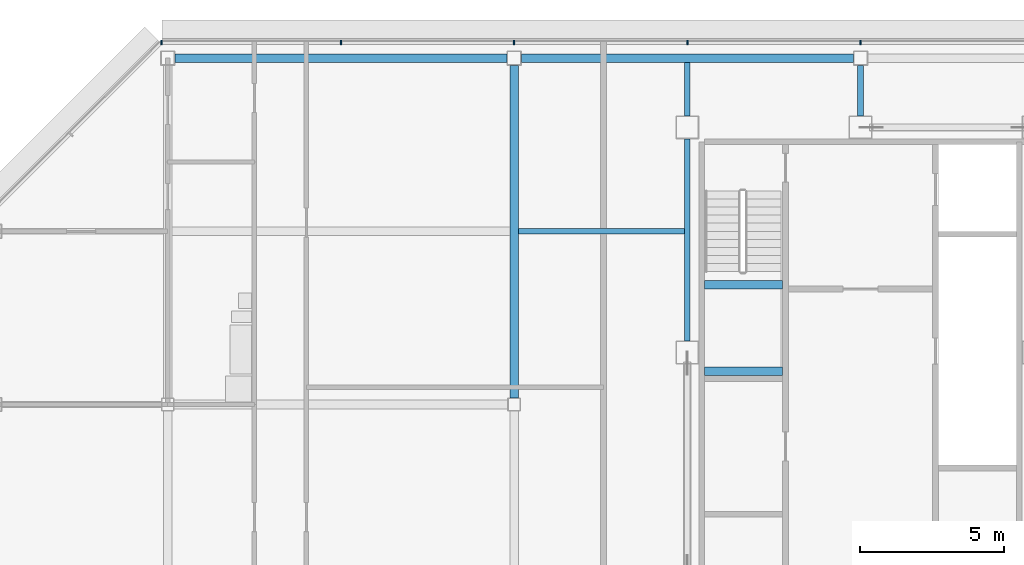
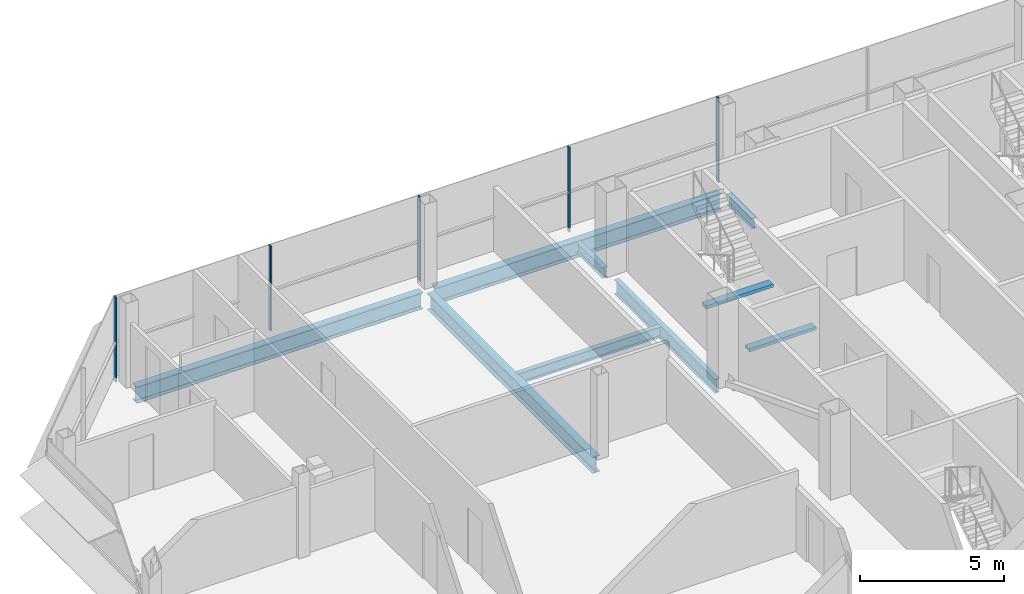
# One storey, part 14 of 28: 9 beams, 5 members, 1 element without a shape of its own.
"""IFC4 building model written with IfcOpenShell, lengths in metres."""

import ifcopenshell
import ifcopenshell.guid

model = None  # the IFC model being written
_history = None  # IfcOwnerHistory: only IFC2X3 demands one
_inside = {}  # id of a spatial element -> (the spatial element, [elements in it])
_under = {}  # id of a project, library or spatial element -> (it, [spatial elements below it])
_declared = {}  # id of a project -> (the project, [libraries it declares])
_typed = {}  # id of a type object -> (the type object, [elements of that type])
_made_of = {}  # id of a material, layer set ... -> (it, [elements and type objects made of it])


def new_model(schema):
    """Start an empty IFC model of exactly this schema.

    Asked for "IFC4X3", IfcOpenShell would pick the latest addendum, in which some entities
    have other attributes; the version numbers below select the first issue.
    IFC2X3 requires an IfcOwnerHistory on every rooted entity: one is made here for all.
    """
    global model, _history
    if schema == "IFC4X3":
        model = ifcopenshell.file(schema_version=(4, 3, 0, 0))
    else:
        model = ifcopenshell.file(schema=schema)
    _inside.clear()
    _under.clear()
    _declared.clear()
    _typed.clear()
    _made_of.clear()
    _history = None
    if model.schema == "IFC2X3":
        org = make("IfcOrganization", Name="unknown")
        user = make(
            "IfcPersonAndOrganization",
            ThePerson=make("IfcPerson", FamilyName="unknown"),
            TheOrganization=org,
        )
        app = make(
            "IfcApplication",
            ApplicationDeveloper=org,
            Version="unknown",
            ApplicationFullName="unknown",
            ApplicationIdentifier="unknown",
        )
        _history = make(
            "IfcOwnerHistory",
            OwningUser=user,
            OwningApplication=app,
            ChangeAction="ADDED",
            CreationDate=0,
        )
    return model


def make(cls, **values):
    """One entity of the class cls with the attributes given. An attribute that is None is left unset."""
    return model.create_entity(
        cls, **{name: value for name, value in values.items() if value is not None}
    )


def rooted(cls, **values):
    """An entity with a GlobalId (a new one), such as an element, a storey or a relation."""
    return make(cls, GlobalId=ifcopenshell.guid.new(), OwnerHistory=_history, **values)


def si_unit(unit_type, name, prefix=None):
    """IfcSIUnit, for example si_unit("LENGTHUNIT", "METRE", prefix="MILLI")."""
    return make("IfcSIUnit", UnitType=unit_type, Prefix=prefix, Name=name)


def assignment(units):
    """IfcUnitAssignment: the units of a project."""
    return None if units is None else make("IfcUnitAssignment", Units=units)


def point(xyz):
    """IfcCartesianPoint."""
    return None if xyz is None else make("IfcCartesianPoint", Coordinates=xyz)


def direction(xyz):
    """IfcDirection."""
    return None if xyz is None else make("IfcDirection", DirectionRatios=xyz)


def frame(location, z_axis=None, x_axis=None):
    """IfcAxis2Placement3D, a coordinate frame: its origin and axes. An axis left out is left unset."""
    return make(
        "IfcAxis2Placement3D",
        Location=point(location),
        Axis=direction(z_axis),
        RefDirection=direction(x_axis),
    )


def frame_2d(location, x_axis=None):
    """IfcAxis2Placement2D, a coordinate frame in the plane: its origin and x axis."""
    return make(
        "IfcAxis2Placement2D", Location=point(location), RefDirection=direction(x_axis)
    )


def origin():
    """The frame at (0, 0, 0) with its axes left unset."""
    return frame((0.0, 0.0, 0.0))


def origin_2d():
    """The frame at (0, 0) in the plane with its x axis left unset."""
    return frame_2d((0.0, 0.0))


def place(relative_to, where):
    """IfcLocalPlacement: puts the frame where relative to a parent placement (None: the world)."""
    return make(
        "IfcLocalPlacement", PlacementRelTo=relative_to, RelativePlacement=where
    )


def context(
    kind, dimensions, precision=None, world=None, true_north=None, identifier=None
):
    """IfcGeometricRepresentationContext, for example the 3D "Model" context."""
    return make(
        "IfcGeometricRepresentationContext",
        ContextIdentifier=identifier,
        ContextType=kind,
        CoordinateSpaceDimension=dimensions,
        Precision=precision,
        WorldCoordinateSystem=world,
        TrueNorth=true_north,
    )


def subcontext(parent, identifier, kind, view, scale=None):
    """IfcGeometricRepresentationSubContext, for example "Body" below "Model"."""
    return make(
        "IfcGeometricRepresentationSubContext",
        ContextIdentifier=identifier,
        ContextType=kind,
        ParentContext=parent,
        TargetScale=scale,
        TargetView=view,
    )


def project(units=None, contexts=None):
    """IfcProject with its units and contexts."""
    return rooted(
        "IfcProject",
        Name="project",
        RepresentationContexts=contexts,
        UnitsInContext=assignment(units),
    )


def spatial(cls, under=None, at=None, **own):
    """A site, building, storey or space (cls), placed at a placement, below another one or the project."""
    s = rooted(cls, ObjectPlacement=at, **own)
    if under is not None:
        _under.setdefault(under.id(), (under, []))[1].append(s)
    return s


def profile(cls, at=None, kind="AREA", **sizes):
    """A parametric profile (cls). Its sizes go by their IFC names, for example OverallWidth=200.0."""
    return make(cls, ProfileType=kind, Position=at, **sizes)


def rectangle(**sizes):
    """IfcRectangleProfileDef."""
    return profile("IfcRectangleProfileDef", **sizes)


def i_section(**sizes):
    """IfcIShapeProfileDef."""
    return profile("IfcIShapeProfileDef", **sizes)


def extrude(swept, where, along, depth):
    """IfcExtrudedAreaSolid: the profile swept, set in the frame where, extruded along a direction by depth."""
    return make(
        "IfcExtrudedAreaSolid",
        SweptArea=swept,
        Position=where,
        ExtrudedDirection=direction(along),
        Depth=depth,
    )


def shape(context_of_items, identifier, shape_type, items):
    """IfcShapeRepresentation: the items that make up one representation, for example the "Body"."""
    return make(
        "IfcShapeRepresentation",
        ContextOfItems=context_of_items,
        RepresentationIdentifier=identifier,
        RepresentationType=shape_type,
        Items=items,
    )


def material(Name=None, Category=None):
    """IfcMaterial."""
    return make("IfcMaterial", Name=Name, Category=Category)


def material_profile(
    of_material, cross_section, Name=None, Category=None, Priority=None
):
    """IfcMaterialProfile: a cross section and its material."""
    return make(
        "IfcMaterialProfile",
        Name=Name,
        Material=of_material,
        Profile=cross_section,
        Priority=Priority,
        Category=Category,
    )


def profile_set(profiles, Name=None, composite=None):
    """IfcMaterialProfileSet."""
    return make(
        "IfcMaterialProfileSet",
        Name=Name,
        MaterialProfiles=profiles,
        CompositeProfile=composite,
    )


def made_of(thing, what):
    """Note that an element or type object is made of a material, layer set ...; save() writes the relation."""
    if what is not None:
        _made_of.setdefault(what.id(), (what, []))[1].append(thing)
    return thing


def type_object(cls, material=None, **own):
    """A type object (cls), such as IfcWallType, which elements share."""
    return made_of(rooted(cls, **own), material)


def element(
    cls,
    number,
    at=None,
    inside=None,
    cuts=None,
    type_object=None,
    material=None,
    context=None,
    identifier="Body",
    shape_type=None,
    held_by="IfcProductDefinitionShape",
    body=None,
    shapes=None,
    **own,
):
    """One element of the class cls, such as IfcWall. Its Tag is "e" and its number.

    at: its placement. inside: the storey or other place that contains it. cuts: it is an
    opening in that element (IfcRelVoidsElement). A single representation is given by context,
    identifier, shape_type and body (its items); several are given by shapes. held_by: the class
    of the entity that holds the representations. save() writes the other relations.
    """
    e = rooted(cls, Tag="e%d" % number, ObjectPlacement=at, **own)
    if body is not None:
        shapes = [shape(context, identifier, shape_type, body)]
    if shapes is not None:
        e.Representation = make(held_by, Representations=shapes)
    if inside is not None:
        _inside.setdefault(inside.id(), (inside, []))[1].append(e)
    if cuts is not None:
        rooted(
            "IfcRelVoidsElement", RelatingBuildingElement=cuts, RelatedOpeningElement=e
        )
    if type_object is not None:
        _typed.setdefault(type_object.id(), (type_object, []))[1].append(e)
    return made_of(e, material)


def aggregate(whole, parts):
    """IfcRelAggregates: a whole, such as a stair, and the parts it consists of."""
    return rooted("IfcRelAggregates", RelatingObject=whole, RelatedObjects=parts)


def save(model, path):
    """Write the relations noted so far, then the file.

    IfcRelAggregates (storeys below a building ...), IfcRelContainedInSpatialStructure (elements
    in a storey), IfcRelDefinesByType, IfcRelAssociatesMaterial and IfcRelDeclares: one each for
    every whole, place, type object, material and project.
    """
    for whole, parts in _under.values():
        aggregate(whole, parts)
    for where, things in _inside.values():
        rooted(
            "IfcRelContainedInSpatialStructure",
            RelatedElements=things,
            RelatingStructure=where,
        )
    for kind, things in _typed.values():
        rooted("IfcRelDefinesByType", RelatedObjects=things, RelatingType=kind)
    for what, things in _made_of.values():
        rooted("IfcRelAssociatesMaterial", RelatedObjects=things, RelatingMaterial=what)
    for by, libraries in _declared.values():
        rooted("IfcRelDeclares", RelatingContext=by, RelatedDefinitions=libraries)
    model.write(path)


model = new_model("IFC4")

# Units and contexts
model_context = context("Model", 3, precision=1e-05, world=origin(), true_north=direction((0.0, 1.0)))
body_context = subcontext(model_context, "Body", "Model", "MODEL_VIEW")
ifc_project = project(units=[si_unit("LENGTHUNIT", "METRE"), si_unit("AREAUNIT", "SQUARE_METRE"), si_unit("VOLUMEUNIT", "CUBIC_METRE"), si_unit("PLANEANGLEUNIT", "RADIAN"), si_unit("MASSUNIT", "GRAM", prefix="KILO")], contexts=[model_context])

# Site, building, storey
site_placement = place(None, origin())
site = spatial("IfcSite", under=ifc_project, at=site_placement, CompositionType="ELEMENT")
building_placement = place(site_placement, origin())
building = spatial("IfcBuilding", under=site, at=building_placement, Name="Sorahane Residences", CompositionType="ELEMENT")
storey_placement = place(building_placement, frame((0.0, 0.0, 308.800048828125)))
storey = spatial("IfcBuildingStorey", under=building, at=storey_placement, Name="L73", CompositionType="ELEMENT", Elevation=308.800048828125)

# Curtain wall, members
ifc_material_1 = material(Name="Dark low-e glass and black anodised aluminium", Category="aluminium")
curtain_wall_type = type_object("IfcCurtainWallType", Name="Curtain wall CW-1 Typical unitised wall", PredefinedType="NOTDEFINED", material=ifc_material_1)
curtain_wall_placement = place(storey_placement, origin())
curtain_wall = element("IfcCurtainWall", 1, at=curtain_wall_placement, inside=storey, type_object=curtain_wall_type, Name="CW-1 curtain wall L73 N1", PredefinedType="NOTDEFINED")
ifc_material_2 = material(Name="Black anodised aluminium", Category="aluminium")
ifc_material_profile_1 = material_profile(ifc_material_2, rectangle(XDim=0.159912109375, YDim=0.050048828125, at=origin_2d()), Name="Curtain wall mullion CW-1 black anodised aluminium 50x160")
ifc_profile_set_1 = profile_set([ifc_material_profile_1], Name="Black anodised aluminium")
member_type = type_object("IfcMemberType", Name="Curtain wall mullion CW-1 black anodised aluminium 50x160", PredefinedType="MULLION", material=ifc_profile_set_1)
member_1_placement = place(storey_placement, frame((12.0, 48.5400390625, -0.179931640625), z_axis=(0.0, 0.0, 1.0), x_axis=(0.0, 1.0, 0.0)))
member_1 = element("IfcMember", 2, at=member_1_placement, type_object=member_type, Name="CW-1 mullion L73 N1.6", PredefinedType="MULLION", context=body_context, shape_type="SweptSolid", body=[
    extrude(rectangle(XDim=0.159912109375, YDim=0.050048828125, at=origin_2d()), origin(), (0.0, 0.0, 1.0), 3.599853515625),
])
member_2_placement = place(storey_placement, frame((6.0, 48.5400390625, -0.179931640625), z_axis=(0.0, 0.0, 1.0), x_axis=(0.0, 1.0, 0.0)))
member_2 = element("IfcMember", 3, at=member_2_placement, type_object=member_type, Name="CW-1 mullion L73 N1.7", PredefinedType="MULLION", context=body_context, shape_type="SweptSolid", body=[
    extrude(rectangle(XDim=0.159912109375, YDim=0.050048828125, at=origin_2d()), origin(), (0.0, 0.0, 1.0), 3.599853515625),
])
member_3_placement = place(storey_placement, frame((0.0, 48.5400390625, -0.179931640625), z_axis=(0.0, 0.0, 1.0), x_axis=(0.0, 1.0, 0.0)))
member_3 = element("IfcMember", 4, at=member_3_placement, type_object=member_type, Name="CW-1 mullion L73 N1.8", PredefinedType="MULLION", context=body_context, shape_type="SweptSolid", body=[
    extrude(rectangle(XDim=0.159912109375, YDim=0.050048828125, at=origin_2d()), origin(), (0.0, 0.0, 1.0), 3.599853515625),
])
member_4_placement = place(storey_placement, frame((-6.0, 48.5400390625, -0.179931640625), z_axis=(0.0, 0.0, 1.0), x_axis=(0.0, 1.0, 0.0)))
member_4 = element("IfcMember", 5, at=member_4_placement, type_object=member_type, Name="CW-1 mullion L73 N1.9", PredefinedType="MULLION", context=body_context, shape_type="SweptSolid", body=[
    extrude(rectangle(XDim=0.159912109375, YDim=0.050048828125, at=origin_2d()), origin(), (0.0, 0.0, 1.0), 3.599853515625),
])
member_5_placement = place(storey_placement, frame((-12.2236328125, 48.5400390625, -0.179931640625), z_axis=(0.0, 0.0, 1.0), x_axis=(0.0, 1.0, 0.0)))
member_5 = element("IfcMember", 6, at=member_5_placement, type_object=member_type, Name="CW-1 mullion L73 N1.10", PredefinedType="MULLION", context=body_context, shape_type="SweptSolid", body=[
    extrude(rectangle(XDim=0.159912109375, YDim=0.050048828125, at=origin_2d()), origin(), (0.0, 0.0, 1.0), 3.599853515625),
])
aggregate(curtain_wall, [member_1, member_2, member_3, member_4, member_5])

# Beams
ifc_material_3 = material(Name="Concrete C40", Category="concrete")
ifc_material_profile_2 = material_profile(ifc_material_3, rectangle(XDim=0.300048828125, YDim=0.139892578125, at=origin_2d()), Name="300x140")
ifc_profile_set_2 = profile_set([ifc_material_profile_2], Name="Concrete C40")
beam_type_1 = type_object("IfcBeamType", Name="RC landing beam 300 x 140 Concrete C40", PredefinedType="BEAM", material=ifc_profile_set_2)
for number, where, z_axis, x_axis, name in (
    (7, (6.60009765625, 37.14990234375, 1.530029296875), (1.0, 0.0, 0.0), (0.0, 1.0, 0.0), "Landing beam"),
    (8, (6.60009765625, 40.14990234375, 1.530029296875), (1.0, 0.0, 0.0), (0.0, 1.0, 0.0), "Landing beam"),
):
    element("IfcBeam", number, at=place(storey_placement, frame(where, z_axis=z_axis, x_axis=x_axis)), inside=storey, type_object=beam_type_1, Name=name, PredefinedType="BEAM", context=body_context, shape_type="SweptSolid", body=[
        extrude(rectangle(XDim=0.300048828125, YDim=0.139892578125, at=origin_2d()), origin(), (0.0, 0.0, 1.0), 2.699951171875),
    ])
ifc_material_4 = material(Name="Steel Q355B", Category="steel")
ifc_material_profile_3 = material_profile(ifc_material_4, i_section(OverallWidth=0.199951171875, OverallDepth=0.449951171875, WebThickness=0.009033203125, FlangeThickness=0.013916015625, FilletRadius=0.02001953125, at=origin_2d()), Name="HN 450x200x9x14")
ifc_profile_set_3 = profile_set([ifc_material_profile_3], Name="Steel Q355B")
beam_type_2 = type_object("IfcBeamType", Name="Steel floor beam HN 450x200x9x14 Q355B", PredefinedType="BEAM", material=ifc_profile_set_3)
beam_1_placement = place(storey_placement, frame((6.0, 46.0, -0.405029296875), z_axis=(0.0, 1.0, 0.0), x_axis=(-1.0, 0.0, 0.0)))
element("IfcBeam", 9, at=beam_1_placement, inside=storey, type_object=beam_type_2, Name="Beam L73 037", PredefinedType="BEAM", context=body_context, shape_type="SweptSolid", body=[
    extrude(i_section(OverallWidth=0.199951171875, OverallDepth=0.449951171875, WebThickness=0.009033203125, FlangeThickness=0.013916015625, FilletRadius=0.02001953125, at=origin_2d()), origin(), (0.0, 0.0, 1.0), 1.85009765625),
])
beam_2_placement = place(storey_placement, frame((12.0, 46.0, -0.405029296875), z_axis=(0.0, 1.0, 0.0), x_axis=(-1.0, 0.0, 0.0)))
element("IfcBeam", 10, at=beam_2_placement, inside=storey, type_object=beam_type_2, Name="Beam L73 039", PredefinedType="BEAM", context=body_context, shape_type="SweptSolid", body=[
    extrude(i_section(OverallWidth=0.199951171875, OverallDepth=0.449951171875, WebThickness=0.009033203125, FlangeThickness=0.013916015625, FilletRadius=0.02001953125, at=origin_2d()), origin(), (0.0, 0.0, 1.0), 1.75),
])
beam_3_placement = place(storey_placement, frame((0.14990234375, 42.0, -0.405029296875), z_axis=(1.0, 0.0, 0.0), x_axis=(0.0, 1.0, 0.0)))
element("IfcBeam", 11, at=beam_3_placement, inside=storey, type_object=beam_type_2, Name="Beam L73 089", PredefinedType="BEAM", context=body_context, shape_type="SweptSolid", body=[
    extrude(i_section(OverallWidth=0.199951171875, OverallDepth=0.449951171875, WebThickness=0.009033203125, FlangeThickness=0.013916015625, FilletRadius=0.02001953125, at=origin_2d()), origin(), (0.0, 0.0, 1.0), 5.75),
])
ifc_material_5 = material(Name="Steel Q355B", Category="steel")
ifc_material_profile_4 = material_profile(ifc_material_5, i_section(OverallWidth=0.199951171875, OverallDepth=0.60009765625, WebThickness=0.010986328125, FlangeThickness=0.01708984375, FilletRadius=0.02392578125, at=origin_2d()), Name="HN 600x200x11x17")
ifc_profile_set_4 = profile_set([ifc_material_profile_4], Name="Steel Q355B")
beam_type_3 = type_object("IfcBeamType", Name="Steel floor beam HN 600x200x11x17 Q355B", PredefinedType="BEAM", material=ifc_profile_set_4)
beam_4_placement = place(storey_placement, frame((6.0, 38.199951171875, -0.47998046875), z_axis=(0.0, 1.0, 0.0), x_axis=(-1.0, 0.0, 0.0)))
element("IfcBeam", 12, at=beam_4_placement, inside=storey, type_object=beam_type_3, Name="Beam L73 036", PredefinedType="BEAM", context=body_context, shape_type="SweptSolid", body=[
    extrude(i_section(OverallWidth=0.199951171875, OverallDepth=0.60009765625, WebThickness=0.010986328125, FlangeThickness=0.01708984375, FilletRadius=0.02392578125, at=origin_2d()), origin(), (0.0, 0.0, 1.0), 7.0),
])
ifc_material_6 = material(Name="Steel Q355B", Category="steel")
ifc_material_profile_5 = material_profile(ifc_material_6, i_section(OverallWidth=0.300048828125, OverallDepth=0.699951171875, WebThickness=0.012939453125, FlangeThickness=0.02392578125, FilletRadius=0.028076171875, at=origin_2d()), Name="HN 700x300x13x24")
ifc_profile_set_5 = profile_set([ifc_material_profile_5], Name="Steel Q355B")
beam_type_4 = type_object("IfcBeamType", Name="Steel floor beam HN 700x300x13x24 Q355B", PredefinedType="BEAM", material=ifc_profile_set_5)
for number, where, z_axis, x_axis, name in (
    (13, (-11.75, 48.0, -0.530029296875), (1.0, 0.0, 0.0), (0.0, 1.0, 0.0), "Beam L73 015"),
    (14, (0.25, 48.0, -0.530029296875), (1.0, 0.0, 0.0), (0.0, 1.0, 0.0), "Beam L73 016"),
):
    element("IfcBeam", number, at=place(storey_placement, frame(where, z_axis=z_axis, x_axis=x_axis)), inside=storey, type_object=beam_type_4, Name=name, PredefinedType="BEAM", context=body_context, shape_type="SweptSolid", body=[
        extrude(i_section(OverallWidth=0.300048828125, OverallDepth=0.699951171875, WebThickness=0.012939453125, FlangeThickness=0.02392578125, FilletRadius=0.028076171875, at=origin_2d()), origin(), (0.0, 0.0, 1.0), 11.5),
    ])
beam_5_placement = place(storey_placement, frame((0.0, 36.22509765625, -0.530029296875), z_axis=(0.0, 1.0, 0.0), x_axis=(-1.0, 0.0, 0.0)))
element("IfcBeam", 15, at=beam_5_placement, inside=storey, type_object=beam_type_4, Name="Beam L73 031", PredefinedType="BEAM", context=body_context, shape_type="SweptSolid", body=[
    extrude(i_section(OverallWidth=0.300048828125, OverallDepth=0.699951171875, WebThickness=0.012939453125, FlangeThickness=0.02392578125, FilletRadius=0.028076171875, at=origin_2d()), origin(), (0.0, 0.0, 1.0), 11.52490234375),
])

save(model, "model.ifc")
